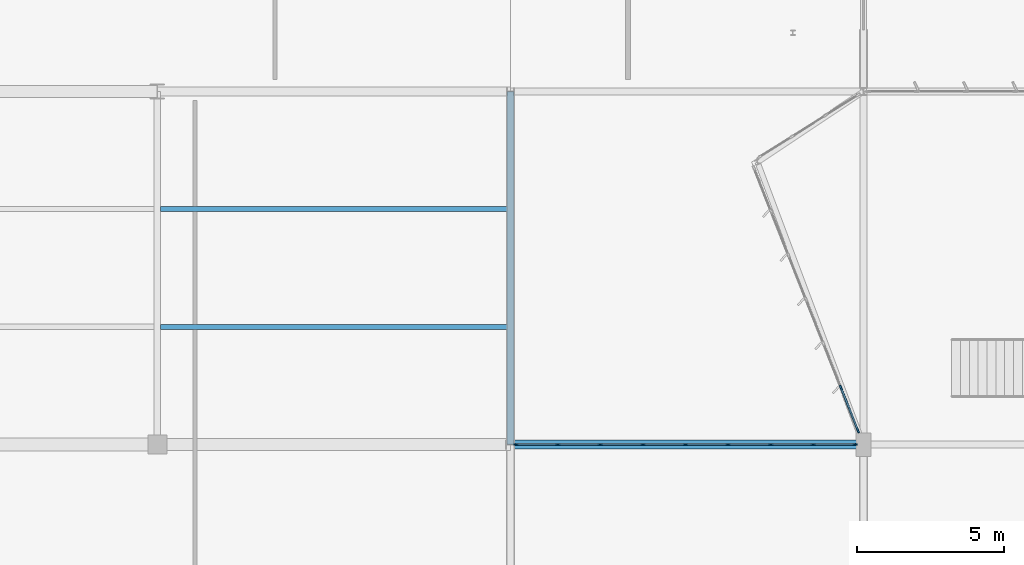
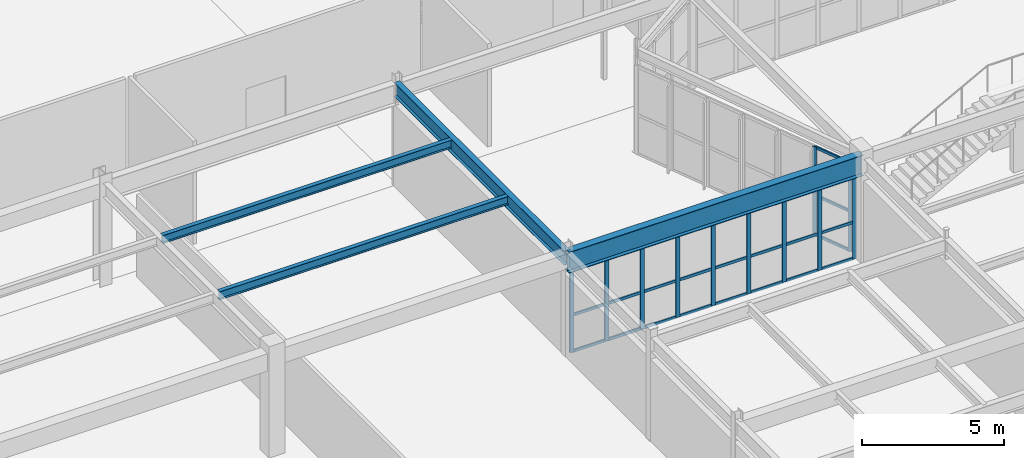
# One storey, part 92 of 199: 38 members, 4 beams, 2 elements without a shape of their own.
"""IFC4 building model written with IfcOpenShell, lengths in metres."""

from ifc_helpers import new_model, si_unit, direction, frame, origin, origin_2d, place, context, subcontext, project, spatial, rectangle, i_section, extrude, material, layer, layer_set, material_profile, profile_set, type_object, element, aggregate, save


model = new_model("IFC4")

# Units and contexts
model_context = context("Model", 3, precision=1e-05, world=origin(), true_north=direction((0.0, 1.0)))
body_context = subcontext(model_context, "Body", "Model", "MODEL_VIEW")
ifc_project = project(units=[si_unit("LENGTHUNIT", "METRE"), si_unit("AREAUNIT", "SQUARE_METRE"), si_unit("VOLUMEUNIT", "CUBIC_METRE"), si_unit("PLANEANGLEUNIT", "RADIAN"), si_unit("MASSUNIT", "GRAM", prefix="KILO")], contexts=[model_context])

# Site, building, storey
site_placement = place(None, origin())
site = spatial("IfcSite", under=ifc_project, at=site_placement, CompositionType="ELEMENT")
building_placement = place(site_placement, origin())
building = spatial("IfcBuilding", under=site, at=building_placement, Name="Tarnwether General Hospital", CompositionType="ELEMENT")
storey_placement = place(building_placement, origin())
storey = spatial("IfcBuildingStorey", under=building, at=storey_placement, Name="L00", CompositionType="ELEMENT", Elevation=0.0)

# Beams
ifc_material_1 = material(Name="Steel Grade 350 (350 MPa)", Category="steel")
ifc_material_profile_1 = material_profile(ifc_material_1, i_section(OverallWidth=0.300048828125, OverallDepth=0.89990234375, WebThickness=0.011962890625, FlangeThickness=0.02001953125, at=origin_2d()), Name="900WB175")
ifc_profile_set_1 = profile_set([ifc_material_profile_1], Name="Steel Grade 350 (350 MPa)")
beam_type_1 = type_object("IfcBeamType", Name="BM-G01", PredefinedType="BEAM", material=ifc_profile_set_1)
beam_1_placement = place(storey_placement, frame((132.0, 33.60009765625, 3.9951171875), z_axis=(1.0, 0.0, 0.0), x_axis=(0.0, 1.0, 0.0)))
element("IfcBeam", 1, at=beam_1_placement, inside=storey, type_object=beam_type_1, Name="Primary Girder BMG-L00-13200_3360-14400_3360-0772", PredefinedType="BEAM", context=body_context, shape_type="SweptSolid", body=[
    extrude(i_section(OverallWidth=0.300048828125, OverallDepth=0.89990234375, WebThickness=0.011962890625, FlangeThickness=0.02001953125, at=origin_2d()), origin(), (0.0, 0.0, 1.0), 12.0),
])
ifc_material_2 = material(Name="Steel Grade 350 (350 MPa)", Category="steel")
ifc_material_profile_2 = material_profile(ifc_material_2, i_section(OverallWidth=0.22802734375, OverallDepth=0.60693359375, WebThickness=0.01123046875, FlangeThickness=0.017333984375, at=origin_2d()), Name="610UB113")
ifc_profile_set_2 = profile_set([ifc_material_profile_2], Name="Steel Grade 350 (350 MPa)")
beam_type_2 = type_object("IfcBeamType", Name="BM-G04", PredefinedType="BEAM", material=ifc_profile_set_2)
beam_2_placement = place(storey_placement, frame((132.0, 33.60009765625, 4.1416015625), z_axis=(0.0, 1.0, 0.0), x_axis=(-1.0, 0.0, 0.0)))
element("IfcBeam", 2, at=beam_2_placement, inside=storey, type_object=beam_type_2, Name="Primary Girder BMG-L00-13200_3360-13200_4560-0773", PredefinedType="BEAM", context=body_context, shape_type="SweptSolid", body=[
    extrude(i_section(OverallWidth=0.22802734375, OverallDepth=0.60693359375, WebThickness=0.01123046875, FlangeThickness=0.017333984375, at=origin_2d()), origin(), (0.0, 0.0, 1.0), 12.0),
])
ifc_material_3 = material(Name="Steel Grade 350 (350 MPa)", Category="steel")
ifc_material_profile_3 = material_profile(ifc_material_3, i_section(OverallWidth=0.172119140625, OverallDepth=0.35888671875, WebThickness=0.008056640625, FlangeThickness=0.012939453125, at=origin_2d()), Name="360UB56.7")
ifc_profile_set_3 = profile_set([ifc_material_profile_3], Name="Steel Grade 350 (350 MPa)")
beam_type_3 = type_object("IfcBeamType", Name="BM-J03", PredefinedType="JOIST", material=ifc_profile_set_3)
beam_3_placement = place(storey_placement, frame((120.10888671875, 37.60009765625, 4.265380859375), z_axis=(1.0, 0.0, 0.0), x_axis=(0.0, 1.0, 0.0)))
element("IfcBeam", 3, at=beam_3_placement, inside=storey, type_object=beam_type_3, Name="Composite Floor Joist BMG-L00-12011_3760-13189_3760-0993", PredefinedType="JOIST", context=body_context, shape_type="SweptSolid", body=[
    extrude(i_section(OverallWidth=0.172119140625, OverallDepth=0.35888671875, WebThickness=0.008056640625, FlangeThickness=0.012939453125, at=origin_2d()), origin(), (0.0, 0.0, 1.0), 11.783203125),
])
ifc_material_4 = material(Name="Steel Grade 350 (350 MPa)", Category="steel")
ifc_material_profile_4 = material_profile(ifc_material_4, i_section(OverallWidth=0.1708984375, OverallDepth=0.35595703125, WebThickness=0.00732421875, FlangeThickness=0.011474609375, at=origin_2d()), Name="360UB50.7")
ifc_profile_set_4 = profile_set([ifc_material_profile_4], Name="Steel Grade 350 (350 MPa)")
beam_type_4 = type_object("IfcBeamType", Name="BM-J04", PredefinedType="JOIST", material=ifc_profile_set_4)
beam_4_placement = place(storey_placement, frame((120.10888671875, 41.60009765625, 4.26708984375), z_axis=(1.0, 0.0, 0.0), x_axis=(0.0, 1.0, 0.0)))
element("IfcBeam", 4, at=beam_4_placement, inside=storey, type_object=beam_type_4, Name="Composite Floor Joist BMG-L00-12011_4160-13189_4160-0994", PredefinedType="JOIST", context=body_context, shape_type="SweptSolid", body=[
    extrude(i_section(OverallWidth=0.1708984375, OverallDepth=0.35595703125, WebThickness=0.00732421875, FlangeThickness=0.011474609375, at=origin_2d()), origin(), (0.0, 0.0, 1.0), 11.783203125),
])

# Curtain wall, members
ifc_material_5 = material(Name="Anodised aluminium", Category="aluminium")
ifc_layer_1 = layer(ifc_material_5, 0.159912109375)
ifc_layer_set_1 = layer_set([ifc_layer_1], Name="Anodised aluminium")
curtain_wall_type_1 = type_object("IfcCurtainWallType", Name="CW-20", PredefinedType="NOTDEFINED", material=ifc_layer_set_1)
curtain_wall_1_placement = place(storey_placement, origin())
curtain_wall_1 = element("IfcCurtainWall", 5, at=curtain_wall_1_placement, inside=storey, type_object=curtain_wall_type_1, Name="Curtain Wall CWG-L00-1438_340-0294", PredefinedType="NOTDEFINED")
ifc_material_6 = material(Name="Anodised aluminium", Category="aluminium")
ifc_material_profile_5 = material_profile(ifc_material_6, rectangle(XDim=0.06005859375, YDim=0.159912109375, at=origin_2d()), Name="ALU-MUL-60x160")
ifc_profile_set_5 = profile_set([ifc_material_profile_5], Name="Anodised aluminium")
member_type_1 = type_object("IfcMemberType", Name="CW-ML1", PredefinedType="MULLION", material=ifc_profile_set_5)
member_1_placement = place(storey_placement, frame((143.81494140625, 34.06689453125, 0.0), z_axis=(0.0, 0.0, 1.0), x_axis=(-0.929811775217, -0.36803540953, 0.0)))
member_1 = element("IfcMember", 6, at=member_1_placement, type_object=member_type_1, Name="CW-20 mullion 1", PredefinedType="MULLION", context=body_context, shape_type="SweptSolid", body=[
    extrude(rectangle(XDim=0.06005859375, YDim=0.159912109375, at=origin_2d()), origin(), (0.0, 0.0, 1.0), 3.827880859375),
])
member_2_placement = place(storey_placement, frame((143.23291015625, 35.537109375, 0.0), z_axis=(0.0, 0.0, 1.0), x_axis=(-0.929811775217, -0.36803540953, 0.0)))
member_2 = element("IfcMember", 7, at=member_2_placement, type_object=member_type_1, Name="CW-20 mullion 2", PredefinedType="MULLION", context=body_context, shape_type="SweptSolid", body=[
    extrude(rectangle(XDim=0.06005859375, YDim=0.159912109375, at=origin_2d()), origin(), (0.0, 0.0, 1.0), 3.827880859375),
])

ifc_material_7 = material(Name="Anodised aluminium", Category="aluminium")
ifc_layer_2 = layer(ifc_material_7, 0.159912109375)
ifc_layer_set_2 = layer_set([ifc_layer_2], Name="Anodised aluminium")
curtain_wall_type_2 = type_object("IfcCurtainWallType", Name="CW-09", PredefinedType="NOTDEFINED", material=ifc_layer_set_2)
curtain_wall_2_placement = place(storey_placement, origin())
curtain_wall_2 = element("IfcCurtainWall", 8, at=curtain_wall_2_placement, inside=storey, type_object=curtain_wall_type_2, Name="Curtain Wall CWG-L00-1322_336-0313", PredefinedType="NOTDEFINED")
member_3_placement = place(storey_placement, frame((132.19189453125, 33.60009765625, 0.0), z_axis=(0.0, 0.0, 1.0), x_axis=(0.0, 1.0, 0.0)))
member_3 = element("IfcMember", 9, at=member_3_placement, type_object=member_type_1, Name="CW-09 mullion 1", PredefinedType="MULLION", context=body_context, shape_type="SweptSolid", body=[
    extrude(rectangle(XDim=0.06005859375, YDim=0.159912109375, at=origin_2d()), origin(), (0.0, 0.0, 1.0), 3.530029296875),
])
member_4_placement = place(storey_placement, frame((133.609619140625, 33.60009765625, 0.0), z_axis=(0.0, 0.0, 1.0), x_axis=(0.0, 1.0, 0.0)))
member_4 = element("IfcMember", 10, at=member_4_placement, type_object=member_type_1, Name="CW-09 mullion 2", PredefinedType="MULLION", context=body_context, shape_type="SweptSolid", body=[
    extrude(rectangle(XDim=0.06005859375, YDim=0.159912109375, at=origin_2d()), origin(), (0.0, 0.0, 1.0), 3.530029296875),
])
member_5_placement = place(storey_placement, frame((135.056884765625, 33.60009765625, 0.0), z_axis=(0.0, 0.0, 1.0), x_axis=(0.0, 1.0, 0.0)))
member_5 = element("IfcMember", 11, at=member_5_placement, type_object=member_type_1, Name="CW-09 mullion 3", PredefinedType="MULLION", context=body_context, shape_type="SweptSolid", body=[
    extrude(rectangle(XDim=0.06005859375, YDim=0.159912109375, at=origin_2d()), origin(), (0.0, 0.0, 1.0), 3.530029296875),
])
member_6_placement = place(storey_placement, frame((136.50439453125, 33.60009765625, 0.0), z_axis=(0.0, 0.0, 1.0), x_axis=(0.0, 1.0, 0.0)))
member_6 = element("IfcMember", 12, at=member_6_placement, type_object=member_type_1, Name="CW-09 mullion 4", PredefinedType="MULLION", context=body_context, shape_type="SweptSolid", body=[
    extrude(rectangle(XDim=0.06005859375, YDim=0.159912109375, at=origin_2d()), origin(), (0.0, 0.0, 1.0), 3.530029296875),
])
member_7_placement = place(storey_placement, frame((137.951904296875, 33.60009765625, 0.0), z_axis=(0.0, 0.0, 1.0), x_axis=(0.0, 1.0, 0.0)))
member_7 = element("IfcMember", 13, at=member_7_placement, type_object=member_type_1, Name="CW-09 mullion 5", PredefinedType="MULLION", context=body_context, shape_type="SweptSolid", body=[
    extrude(rectangle(XDim=0.06005859375, YDim=0.159912109375, at=origin_2d()), origin(), (0.0, 0.0, 1.0), 3.530029296875),
])
member_8_placement = place(storey_placement, frame((139.3994140625, 33.60009765625, 0.0), z_axis=(0.0, 0.0, 1.0), x_axis=(0.0, 1.0, 0.0)))
member_8 = element("IfcMember", 14, at=member_8_placement, type_object=member_type_1, Name="CW-09 mullion 6", PredefinedType="MULLION", context=body_context, shape_type="SweptSolid", body=[
    extrude(rectangle(XDim=0.06005859375, YDim=0.159912109375, at=origin_2d()), origin(), (0.0, 0.0, 1.0), 3.530029296875),
])
member_9_placement = place(storey_placement, frame((140.846923828125, 33.60009765625, 0.0), z_axis=(0.0, 0.0, 1.0), x_axis=(0.0, 1.0, 0.0)))
member_9 = element("IfcMember", 15, at=member_9_placement, type_object=member_type_1, Name="CW-09 mullion 7", PredefinedType="MULLION", context=body_context, shape_type="SweptSolid", body=[
    extrude(rectangle(XDim=0.06005859375, YDim=0.159912109375, at=origin_2d()), origin(), (0.0, 0.0, 1.0), 3.530029296875),
])
member_10_placement = place(storey_placement, frame((142.29443359375, 33.60009765625, 0.0), z_axis=(0.0, 0.0, 1.0), x_axis=(0.0, 1.0, 0.0)))
member_10 = element("IfcMember", 16, at=member_10_placement, type_object=member_type_1, Name="CW-09 mullion 8", PredefinedType="MULLION", context=body_context, shape_type="SweptSolid", body=[
    extrude(rectangle(XDim=0.06005859375, YDim=0.159912109375, at=origin_2d()), origin(), (0.0, 0.0, 1.0), 3.530029296875),
])
member_11_placement = place(storey_placement, frame((143.7119140625, 33.60009765625, 0.0), z_axis=(0.0, 0.0, 1.0), x_axis=(0.0, 1.0, 0.0)))
member_11 = element("IfcMember", 17, at=member_11_placement, type_object=member_type_1, Name="CW-09 mullion 9", PredefinedType="MULLION", context=body_context, shape_type="SweptSolid", body=[
    extrude(rectangle(XDim=0.06005859375, YDim=0.159912109375, at=origin_2d()), origin(), (0.0, 0.0, 1.0), 3.530029296875),
])

# Member
ifc_material_8 = material(Name="Anodised aluminium", Category="aluminium")
ifc_material_profile_6 = material_profile(ifc_material_8, rectangle(XDim=0.06005859375, YDim=0.1201171875, at=origin_2d()), Name="ALU-TRN-60x120")
ifc_profile_set_6 = profile_set([ifc_material_profile_6], Name="Anodised aluminium")
member_type_2 = type_object("IfcMemberType", Name="CW-TR1", PredefinedType="USERDEFINED", material=ifc_profile_set_6)
member_12_placement = place(storey_placement, frame((143.803955078125, 34.0947265625, 0.030029296875), z_axis=(-0.367984859594, 0.929831782157, 0.0), x_axis=(-0.929831782157, -0.367984859594, 0.0)))
member_12 = element("IfcMember", 18, at=member_12_placement, type_object=member_type_2, Name="CW-20 transom 1.1", ObjectType="TRANSOM", PredefinedType="USERDEFINED", context=body_context, shape_type="SweptSolid", body=[
    extrude(rectangle(XDim=0.06005859375, YDim=0.1201171875, at=origin_2d()), origin(), (0.0, 0.0, 1.0), 1.521240234375),
])

member_13_placement = place(storey_placement, frame((143.803955078125, 34.0947265625, 1.72265625), z_axis=(-0.367984859594, 0.929831782157, 0.0), x_axis=(-0.929831782157, -0.367984859594, 0.0)))
member_13 = element("IfcMember", 19, at=member_13_placement, type_object=member_type_2, Name="CW-20 transom 1.2", ObjectType="TRANSOM", PredefinedType="USERDEFINED", context=body_context, shape_type="SweptSolid", body=[
    extrude(rectangle(XDim=0.06005859375, YDim=0.1201171875, at=origin_2d()), origin(), (0.0, 0.0, 1.0), 1.521240234375),
])

member_14_placement = place(storey_placement, frame((143.803955078125, 34.0947265625, 3.798095703125), z_axis=(-0.367984859594, 0.929831782157, 0.0), x_axis=(-0.929831782157, -0.367984859594, 0.0)))
member_14 = element("IfcMember", 20, at=member_14_placement, type_object=member_type_2, Name="CW-20 transom 1.3", ObjectType="TRANSOM", PredefinedType="USERDEFINED", context=body_context, shape_type="SweptSolid", body=[
    extrude(rectangle(XDim=0.06005859375, YDim=0.1201171875, at=origin_2d()), origin(), (0.0, 0.0, 1.0), 1.521240234375),
])

aggregate(curtain_wall_1, [member_1, member_2, member_12, member_13, member_14])

member_15_placement = place(storey_placement, frame((132.221923828125, 33.60009765625, 0.030029296875), z_axis=(1.0, 0.0, 0.0), x_axis=(0.0, 1.0, 0.0)))
member_15 = element("IfcMember", 21, at=member_15_placement, type_object=member_type_2, Name="CW-09 transom 1.1", ObjectType="TRANSOM", PredefinedType="USERDEFINED", context=body_context, shape_type="SweptSolid", body=[
    extrude(rectangle(XDim=0.06005859375, YDim=0.1201171875, at=origin_2d()), origin(), (0.0, 0.0, 1.0), 1.357666015625),
])

member_16_placement = place(storey_placement, frame((132.221923828125, 33.60009765625, 1.58837890625), z_axis=(1.0, 0.0, 0.0), x_axis=(0.0, 1.0, 0.0)))
member_16 = element("IfcMember", 22, at=member_16_placement, type_object=member_type_2, Name="CW-09 transom 1.2", ObjectType="TRANSOM", PredefinedType="USERDEFINED", context=body_context, shape_type="SweptSolid", body=[
    extrude(rectangle(XDim=0.06005859375, YDim=0.1201171875, at=origin_2d()), origin(), (0.0, 0.0, 1.0), 1.357666015625),
])

member_17_placement = place(storey_placement, frame((132.221923828125, 33.60009765625, 3.5), z_axis=(1.0, 0.0, 0.0), x_axis=(0.0, 1.0, 0.0)))
member_17 = element("IfcMember", 23, at=member_17_placement, type_object=member_type_2, Name="CW-09 transom 1.3", ObjectType="TRANSOM", PredefinedType="USERDEFINED", context=body_context, shape_type="SweptSolid", body=[
    extrude(rectangle(XDim=0.06005859375, YDim=0.1201171875, at=origin_2d()), origin(), (0.0, 0.0, 1.0), 1.357666015625),
])

member_18_placement = place(storey_placement, frame((133.639404296875, 33.60009765625, 0.030029296875), z_axis=(1.0, 0.0, 0.0), x_axis=(0.0, 1.0, 0.0)))
member_18 = element("IfcMember", 24, at=member_18_placement, type_object=member_type_2, Name="CW-09 transom 2.1", ObjectType="TRANSOM", PredefinedType="USERDEFINED", context=body_context, shape_type="SweptSolid", body=[
    extrude(rectangle(XDim=0.06005859375, YDim=0.1201171875, at=origin_2d()), origin(), (0.0, 0.0, 1.0), 1.3876953125),
])

member_19_placement = place(storey_placement, frame((133.639404296875, 33.60009765625, 1.58837890625), z_axis=(1.0, 0.0, 0.0), x_axis=(0.0, 1.0, 0.0)))
member_19 = element("IfcMember", 25, at=member_19_placement, type_object=member_type_2, Name="CW-09 transom 2.2", ObjectType="TRANSOM", PredefinedType="USERDEFINED", context=body_context, shape_type="SweptSolid", body=[
    extrude(rectangle(XDim=0.06005859375, YDim=0.1201171875, at=origin_2d()), origin(), (0.0, 0.0, 1.0), 1.3876953125),
])

member_20_placement = place(storey_placement, frame((133.639404296875, 33.60009765625, 3.5), z_axis=(1.0, 0.0, 0.0), x_axis=(0.0, 1.0, 0.0)))
member_20 = element("IfcMember", 26, at=member_20_placement, type_object=member_type_2, Name="CW-09 transom 2.3", ObjectType="TRANSOM", PredefinedType="USERDEFINED", context=body_context, shape_type="SweptSolid", body=[
    extrude(rectangle(XDim=0.06005859375, YDim=0.1201171875, at=origin_2d()), origin(), (0.0, 0.0, 1.0), 1.3876953125),
])

member_21_placement = place(storey_placement, frame((135.0869140625, 33.60009765625, 0.030029296875), z_axis=(1.0, 0.0, 0.0), x_axis=(0.0, 1.0, 0.0)))
member_21 = element("IfcMember", 27, at=member_21_placement, type_object=member_type_2, Name="CW-09 transom 3.1", ObjectType="TRANSOM", PredefinedType="USERDEFINED", context=body_context, shape_type="SweptSolid", body=[
    extrude(rectangle(XDim=0.06005859375, YDim=0.1201171875, at=origin_2d()), origin(), (0.0, 0.0, 1.0), 1.3876953125),
])

member_22_placement = place(storey_placement, frame((135.0869140625, 33.60009765625, 1.58837890625), z_axis=(1.0, 0.0, 0.0), x_axis=(0.0, 1.0, 0.0)))
member_22 = element("IfcMember", 28, at=member_22_placement, type_object=member_type_2, Name="CW-09 transom 3.2", ObjectType="TRANSOM", PredefinedType="USERDEFINED", context=body_context, shape_type="SweptSolid", body=[
    extrude(rectangle(XDim=0.06005859375, YDim=0.1201171875, at=origin_2d()), origin(), (0.0, 0.0, 1.0), 1.3876953125),
])

member_23_placement = place(storey_placement, frame((135.0869140625, 33.60009765625, 3.5), z_axis=(1.0, 0.0, 0.0), x_axis=(0.0, 1.0, 0.0)))
member_23 = element("IfcMember", 29, at=member_23_placement, type_object=member_type_2, Name="CW-09 transom 3.3", ObjectType="TRANSOM", PredefinedType="USERDEFINED", context=body_context, shape_type="SweptSolid", body=[
    extrude(rectangle(XDim=0.06005859375, YDim=0.1201171875, at=origin_2d()), origin(), (0.0, 0.0, 1.0), 1.3876953125),
])

member_24_placement = place(storey_placement, frame((136.534423828125, 33.60009765625, 0.030029296875), z_axis=(1.0, 0.0, 0.0), x_axis=(0.0, 1.0, 0.0)))
member_24 = element("IfcMember", 30, at=member_24_placement, type_object=member_type_2, Name="CW-09 transom 4.1", ObjectType="TRANSOM", PredefinedType="USERDEFINED", context=body_context, shape_type="SweptSolid", body=[
    extrude(rectangle(XDim=0.06005859375, YDim=0.1201171875, at=origin_2d()), origin(), (0.0, 0.0, 1.0), 1.3876953125),
])

member_25_placement = place(storey_placement, frame((136.534423828125, 33.60009765625, 1.58837890625), z_axis=(1.0, 0.0, 0.0), x_axis=(0.0, 1.0, 0.0)))
member_25 = element("IfcMember", 31, at=member_25_placement, type_object=member_type_2, Name="CW-09 transom 4.2", ObjectType="TRANSOM", PredefinedType="USERDEFINED", context=body_context, shape_type="SweptSolid", body=[
    extrude(rectangle(XDim=0.06005859375, YDim=0.1201171875, at=origin_2d()), origin(), (0.0, 0.0, 1.0), 1.3876953125),
])

member_26_placement = place(storey_placement, frame((136.534423828125, 33.60009765625, 3.5), z_axis=(1.0, 0.0, 0.0), x_axis=(0.0, 1.0, 0.0)))
member_26 = element("IfcMember", 32, at=member_26_placement, type_object=member_type_2, Name="CW-09 transom 4.3", ObjectType="TRANSOM", PredefinedType="USERDEFINED", context=body_context, shape_type="SweptSolid", body=[
    extrude(rectangle(XDim=0.06005859375, YDim=0.1201171875, at=origin_2d()), origin(), (0.0, 0.0, 1.0), 1.3876953125),
])

member_27_placement = place(storey_placement, frame((137.98193359375, 33.60009765625, 0.030029296875), z_axis=(1.0, 0.0, 0.0), x_axis=(0.0, 1.0, 0.0)))
member_27 = element("IfcMember", 33, at=member_27_placement, type_object=member_type_2, Name="CW-09 transom 5.1", ObjectType="TRANSOM", PredefinedType="USERDEFINED", context=body_context, shape_type="SweptSolid", body=[
    extrude(rectangle(XDim=0.06005859375, YDim=0.1201171875, at=origin_2d()), origin(), (0.0, 0.0, 1.0), 1.387451171875),
])

member_28_placement = place(storey_placement, frame((137.98193359375, 33.60009765625, 1.58837890625), z_axis=(1.0, 0.0, 0.0), x_axis=(0.0, 1.0, 0.0)))
member_28 = element("IfcMember", 34, at=member_28_placement, type_object=member_type_2, Name="CW-09 transom 5.2", ObjectType="TRANSOM", PredefinedType="USERDEFINED", context=body_context, shape_type="SweptSolid", body=[
    extrude(rectangle(XDim=0.06005859375, YDim=0.1201171875, at=origin_2d()), origin(), (0.0, 0.0, 1.0), 1.387451171875),
])

member_29_placement = place(storey_placement, frame((137.98193359375, 33.60009765625, 3.5), z_axis=(1.0, 0.0, 0.0), x_axis=(0.0, 1.0, 0.0)))
member_29 = element("IfcMember", 35, at=member_29_placement, type_object=member_type_2, Name="CW-09 transom 5.3", ObjectType="TRANSOM", PredefinedType="USERDEFINED", context=body_context, shape_type="SweptSolid", body=[
    extrude(rectangle(XDim=0.06005859375, YDim=0.1201171875, at=origin_2d()), origin(), (0.0, 0.0, 1.0), 1.387451171875),
])

member_30_placement = place(storey_placement, frame((139.429443359375, 33.60009765625, 0.030029296875), z_axis=(1.0, 0.0, 0.0), x_axis=(0.0, 1.0, 0.0)))
member_30 = element("IfcMember", 36, at=member_30_placement, type_object=member_type_2, Name="CW-09 transom 6.1", ObjectType="TRANSOM", PredefinedType="USERDEFINED", context=body_context, shape_type="SweptSolid", body=[
    extrude(rectangle(XDim=0.06005859375, YDim=0.1201171875, at=origin_2d()), origin(), (0.0, 0.0, 1.0), 1.387451171875),
])

member_31_placement = place(storey_placement, frame((139.429443359375, 33.60009765625, 1.58837890625), z_axis=(1.0, 0.0, 0.0), x_axis=(0.0, 1.0, 0.0)))
member_31 = element("IfcMember", 37, at=member_31_placement, type_object=member_type_2, Name="CW-09 transom 6.2", ObjectType="TRANSOM", PredefinedType="USERDEFINED", context=body_context, shape_type="SweptSolid", body=[
    extrude(rectangle(XDim=0.06005859375, YDim=0.1201171875, at=origin_2d()), origin(), (0.0, 0.0, 1.0), 1.387451171875),
])

member_32_placement = place(storey_placement, frame((139.429443359375, 33.60009765625, 3.5), z_axis=(1.0, 0.0, 0.0), x_axis=(0.0, 1.0, 0.0)))
member_32 = element("IfcMember", 38, at=member_32_placement, type_object=member_type_2, Name="CW-09 transom 6.3", ObjectType="TRANSOM", PredefinedType="USERDEFINED", context=body_context, shape_type="SweptSolid", body=[
    extrude(rectangle(XDim=0.06005859375, YDim=0.1201171875, at=origin_2d()), origin(), (0.0, 0.0, 1.0), 1.387451171875),
])

member_33_placement = place(storey_placement, frame((140.876953125, 33.60009765625, 0.030029296875), z_axis=(1.0, 0.0, 0.0), x_axis=(0.0, 1.0, 0.0)))
member_33 = element("IfcMember", 39, at=member_33_placement, type_object=member_type_2, Name="CW-09 transom 7.1", ObjectType="TRANSOM", PredefinedType="USERDEFINED", context=body_context, shape_type="SweptSolid", body=[
    extrude(rectangle(XDim=0.06005859375, YDim=0.1201171875, at=origin_2d()), origin(), (0.0, 0.0, 1.0), 1.387451171875),
])

member_34_placement = place(storey_placement, frame((140.876953125, 33.60009765625, 1.58837890625), z_axis=(1.0, 0.0, 0.0), x_axis=(0.0, 1.0, 0.0)))
member_34 = element("IfcMember", 40, at=member_34_placement, type_object=member_type_2, Name="CW-09 transom 7.2", ObjectType="TRANSOM", PredefinedType="USERDEFINED", context=body_context, shape_type="SweptSolid", body=[
    extrude(rectangle(XDim=0.06005859375, YDim=0.1201171875, at=origin_2d()), origin(), (0.0, 0.0, 1.0), 1.387451171875),
])

member_35_placement = place(storey_placement, frame((140.876953125, 33.60009765625, 3.5), z_axis=(1.0, 0.0, 0.0), x_axis=(0.0, 1.0, 0.0)))
member_35 = element("IfcMember", 41, at=member_35_placement, type_object=member_type_2, Name="CW-09 transom 7.3", ObjectType="TRANSOM", PredefinedType="USERDEFINED", context=body_context, shape_type="SweptSolid", body=[
    extrude(rectangle(XDim=0.06005859375, YDim=0.1201171875, at=origin_2d()), origin(), (0.0, 0.0, 1.0), 1.387451171875),
])

member_36_placement = place(storey_placement, frame((142.324462890625, 33.60009765625, 0.030029296875), z_axis=(1.0, 0.0, 0.0), x_axis=(0.0, 1.0, 0.0)))
member_36 = element("IfcMember", 42, at=member_36_placement, type_object=member_type_2, Name="CW-09 transom 8.1", ObjectType="TRANSOM", PredefinedType="USERDEFINED", context=body_context, shape_type="SweptSolid", body=[
    extrude(rectangle(XDim=0.06005859375, YDim=0.1201171875, at=origin_2d()), origin(), (0.0, 0.0, 1.0), 1.357421875),
])

member_37_placement = place(storey_placement, frame((142.324462890625, 33.60009765625, 1.58837890625), z_axis=(1.0, 0.0, 0.0), x_axis=(0.0, 1.0, 0.0)))
member_37 = element("IfcMember", 43, at=member_37_placement, type_object=member_type_2, Name="CW-09 transom 8.2", ObjectType="TRANSOM", PredefinedType="USERDEFINED", context=body_context, shape_type="SweptSolid", body=[
    extrude(rectangle(XDim=0.06005859375, YDim=0.1201171875, at=origin_2d()), origin(), (0.0, 0.0, 1.0), 1.357421875),
])

member_38_placement = place(storey_placement, frame((142.324462890625, 33.60009765625, 3.5), z_axis=(1.0, 0.0, 0.0), x_axis=(0.0, 1.0, 0.0)))
member_38 = element("IfcMember", 44, at=member_38_placement, type_object=member_type_2, Name="CW-09 transom 8.3", ObjectType="TRANSOM", PredefinedType="USERDEFINED", context=body_context, shape_type="SweptSolid", body=[
    extrude(rectangle(XDim=0.06005859375, YDim=0.1201171875, at=origin_2d()), origin(), (0.0, 0.0, 1.0), 1.357421875),
])

aggregate(curtain_wall_2, [member_3, member_4, member_5, member_6, member_7, member_8, member_9, member_10, member_11, member_15, member_16, member_17, member_18, member_19, member_20, member_21, member_22, member_23, member_24, member_25, member_26, member_27, member_28, member_29, member_30, member_31, member_32, member_33, member_34, member_35, member_36, member_37, member_38])

save(model, "model.ifc")
